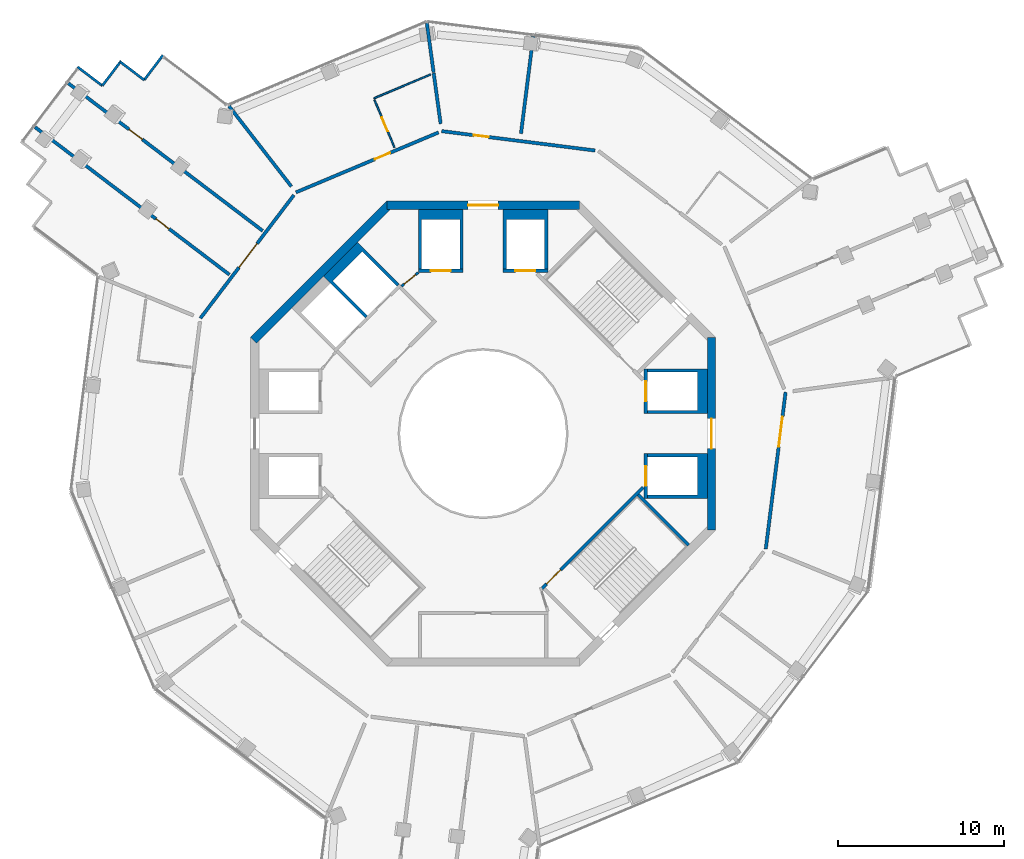
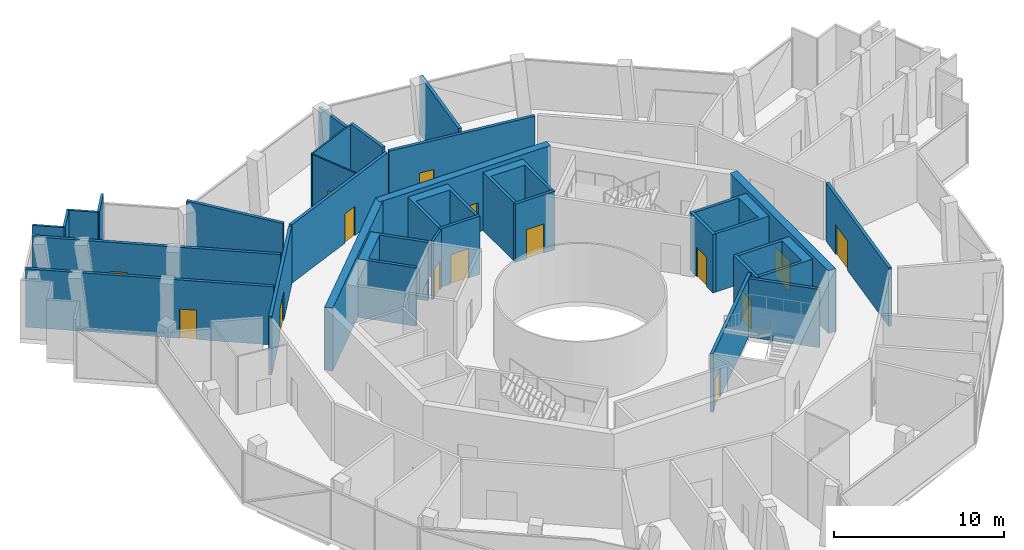
# One storey, part 14 of 18: 31 walls, 15 doors, 15 openings.
"""IFC4 building model written with IfcOpenShell, lengths in metres."""

import ifcopenshell
import ifcopenshell.guid

model = None  # the IFC model being written
_history = None  # IfcOwnerHistory: only IFC2X3 demands one
_inside = {}  # id of a spatial element -> (the spatial element, [elements in it])
_under = {}  # id of a project, library or spatial element -> (it, [spatial elements below it])
_declared = {}  # id of a project -> (the project, [libraries it declares])
_typed = {}  # id of a type object -> (the type object, [elements of that type])
_made_of = {}  # id of a material, layer set ... -> (it, [elements and type objects made of it])


def new_model(schema):
    """Start an empty IFC model of exactly this schema.

    Asked for "IFC4X3", IfcOpenShell would pick the latest addendum, in which some entities
    have other attributes; the version numbers below select the first issue.
    IFC2X3 requires an IfcOwnerHistory on every rooted entity: one is made here for all.
    """
    global model, _history
    if schema == "IFC4X3":
        model = ifcopenshell.file(schema_version=(4, 3, 0, 0))
    else:
        model = ifcopenshell.file(schema=schema)
    _inside.clear()
    _under.clear()
    _declared.clear()
    _typed.clear()
    _made_of.clear()
    _history = None
    if model.schema == "IFC2X3":
        org = make("IfcOrganization", Name="unknown")
        user = make(
            "IfcPersonAndOrganization",
            ThePerson=make("IfcPerson", FamilyName="unknown"),
            TheOrganization=org,
        )
        app = make(
            "IfcApplication",
            ApplicationDeveloper=org,
            Version="unknown",
            ApplicationFullName="unknown",
            ApplicationIdentifier="unknown",
        )
        _history = make(
            "IfcOwnerHistory",
            OwningUser=user,
            OwningApplication=app,
            ChangeAction="ADDED",
            CreationDate=0,
        )
    return model


def make(cls, **values):
    """One entity of the class cls with the attributes given. An attribute that is None is left unset."""
    return model.create_entity(
        cls, **{name: value for name, value in values.items() if value is not None}
    )


def rooted(cls, **values):
    """An entity with a GlobalId (a new one), such as an element, a storey or a relation."""
    return make(cls, GlobalId=ifcopenshell.guid.new(), OwnerHistory=_history, **values)


def si_unit(unit_type, name, prefix=None):
    """IfcSIUnit, for example si_unit("LENGTHUNIT", "METRE", prefix="MILLI")."""
    return make("IfcSIUnit", UnitType=unit_type, Prefix=prefix, Name=name)


def assignment(units):
    """IfcUnitAssignment: the units of a project."""
    return None if units is None else make("IfcUnitAssignment", Units=units)


def point(xyz):
    """IfcCartesianPoint."""
    return None if xyz is None else make("IfcCartesianPoint", Coordinates=xyz)


def direction(xyz):
    """IfcDirection."""
    return None if xyz is None else make("IfcDirection", DirectionRatios=xyz)


def frame(location, z_axis=None, x_axis=None):
    """IfcAxis2Placement3D, a coordinate frame: its origin and axes. An axis left out is left unset."""
    return make(
        "IfcAxis2Placement3D",
        Location=point(location),
        Axis=direction(z_axis),
        RefDirection=direction(x_axis),
    )


def frame_2d(location, x_axis=None):
    """IfcAxis2Placement2D, a coordinate frame in the plane: its origin and x axis."""
    return make(
        "IfcAxis2Placement2D", Location=point(location), RefDirection=direction(x_axis)
    )


def origin():
    """The frame at (0, 0, 0) with its axes left unset."""
    return frame((0.0, 0.0, 0.0))


def place(relative_to, where):
    """IfcLocalPlacement: puts the frame where relative to a parent placement (None: the world)."""
    return make(
        "IfcLocalPlacement", PlacementRelTo=relative_to, RelativePlacement=where
    )


def context(
    kind, dimensions, precision=None, world=None, true_north=None, identifier=None
):
    """IfcGeometricRepresentationContext, for example the 3D "Model" context."""
    return make(
        "IfcGeometricRepresentationContext",
        ContextIdentifier=identifier,
        ContextType=kind,
        CoordinateSpaceDimension=dimensions,
        Precision=precision,
        WorldCoordinateSystem=world,
        TrueNorth=true_north,
    )


def subcontext(parent, identifier, kind, view, scale=None):
    """IfcGeometricRepresentationSubContext, for example "Body" below "Model"."""
    return make(
        "IfcGeometricRepresentationSubContext",
        ContextIdentifier=identifier,
        ContextType=kind,
        ParentContext=parent,
        TargetScale=scale,
        TargetView=view,
    )


def project(units=None, contexts=None):
    """IfcProject with its units and contexts."""
    return rooted(
        "IfcProject",
        Name="project",
        RepresentationContexts=contexts,
        UnitsInContext=assignment(units),
    )


def spatial(cls, under=None, at=None, **own):
    """A site, building, storey or space (cls), placed at a placement, below another one or the project."""
    s = rooted(cls, ObjectPlacement=at, **own)
    if under is not None:
        _under.setdefault(under.id(), (under, []))[1].append(s)
    return s


def polyline(points):
    """IfcPolyline through the points."""
    return make("IfcPolyline", Points=[point(p) for p in points])


def profile(cls, at=None, kind="AREA", **sizes):
    """A parametric profile (cls). Its sizes go by their IFC names, for example OverallWidth=200.0."""
    return make(cls, ProfileType=kind, Position=at, **sizes)


def rectangle(**sizes):
    """IfcRectangleProfileDef."""
    return profile("IfcRectangleProfileDef", **sizes)


def outline(outer, holes=None, kind="AREA"):
    """IfcArbitraryClosedProfileDef: a profile drawn as a closed curve; with holes, ...WithVoids."""
    if holes is None:
        return make("IfcArbitraryClosedProfileDef", ProfileType=kind, OuterCurve=outer)
    return make(
        "IfcArbitraryProfileDefWithVoids",
        ProfileType=kind,
        OuterCurve=outer,
        InnerCurves=holes,
    )


def extrude(swept, where, along, depth):
    """IfcExtrudedAreaSolid: the profile swept, set in the frame where, extruded along a direction by depth."""
    return make(
        "IfcExtrudedAreaSolid",
        SweptArea=swept,
        Position=where,
        ExtrudedDirection=direction(along),
        Depth=depth,
    )


def shape(context_of_items, identifier, shape_type, items):
    """IfcShapeRepresentation: the items that make up one representation, for example the "Body"."""
    return make(
        "IfcShapeRepresentation",
        ContextOfItems=context_of_items,
        RepresentationIdentifier=identifier,
        RepresentationType=shape_type,
        Items=items,
    )


def material(Name=None, Category=None):
    """IfcMaterial."""
    return make("IfcMaterial", Name=Name, Category=Category)


def layer(
    of_material, thickness, ventilated=None, Name=None, Category=None, Priority=None
):
    """IfcMaterialLayer: one layer of a wall or slab, of a material (None: an air gap)."""
    return make(
        "IfcMaterialLayer",
        Material=of_material,
        LayerThickness=thickness,
        IsVentilated=ventilated,
        Name=Name,
        Category=Category,
        Priority=Priority,
    )


def layer_set(layers, Name=None):
    """IfcMaterialLayerSet."""
    return make("IfcMaterialLayerSet", MaterialLayers=layers, LayerSetName=Name)


def made_of(thing, what):
    """Note that an element or type object is made of a material, layer set ...; save() writes the relation."""
    if what is not None:
        _made_of.setdefault(what.id(), (what, []))[1].append(thing)
    return thing


def type_object(cls, material=None, **own):
    """A type object (cls), such as IfcWallType, which elements share."""
    return made_of(rooted(cls, **own), material)


def element(
    cls,
    number,
    at=None,
    inside=None,
    cuts=None,
    type_object=None,
    material=None,
    context=None,
    identifier="Body",
    shape_type=None,
    held_by="IfcProductDefinitionShape",
    body=None,
    shapes=None,
    **own,
):
    """One element of the class cls, such as IfcWall. Its Tag is "e" and its number.

    at: its placement. inside: the storey or other place that contains it. cuts: it is an
    opening in that element (IfcRelVoidsElement). A single representation is given by context,
    identifier, shape_type and body (its items); several are given by shapes. held_by: the class
    of the entity that holds the representations. save() writes the other relations.
    """
    e = rooted(cls, Tag="e%d" % number, ObjectPlacement=at, **own)
    if body is not None:
        shapes = [shape(context, identifier, shape_type, body)]
    if shapes is not None:
        e.Representation = make(held_by, Representations=shapes)
    if inside is not None:
        _inside.setdefault(inside.id(), (inside, []))[1].append(e)
    if cuts is not None:
        rooted(
            "IfcRelVoidsElement", RelatingBuildingElement=cuts, RelatedOpeningElement=e
        )
    if type_object is not None:
        _typed.setdefault(type_object.id(), (type_object, []))[1].append(e)
    return made_of(e, material)


def fill(opening, filler):
    """IfcRelFillsElement: the door or window that sits in an opening."""
    return rooted(
        "IfcRelFillsElement",
        RelatingOpeningElement=opening,
        RelatedBuildingElement=filler,
    )


def aggregate(whole, parts):
    """IfcRelAggregates: a whole, such as a stair, and the parts it consists of."""
    return rooted("IfcRelAggregates", RelatingObject=whole, RelatedObjects=parts)


def save(model, path):
    """Write the relations noted so far, then the file.

    IfcRelAggregates (storeys below a building ...), IfcRelContainedInSpatialStructure (elements
    in a storey), IfcRelDefinesByType, IfcRelAssociatesMaterial and IfcRelDeclares: one each for
    every whole, place, type object, material and project.
    """
    for whole, parts in _under.values():
        aggregate(whole, parts)
    for where, things in _inside.values():
        rooted(
            "IfcRelContainedInSpatialStructure",
            RelatedElements=things,
            RelatingStructure=where,
        )
    for kind, things in _typed.values():
        rooted("IfcRelDefinesByType", RelatedObjects=things, RelatingType=kind)
    for what, things in _made_of.values():
        rooted("IfcRelAssociatesMaterial", RelatedObjects=things, RelatingMaterial=what)
    for by, libraries in _declared.values():
        rooted("IfcRelDeclares", RelatingContext=by, RelatedDefinitions=libraries)
    model.write(path)


model = new_model("IFC4")

# Units and contexts
model_context = context("Model", 3, precision=1e-05, world=origin(), true_north=direction((0.0, 1.0)))
body_context = subcontext(model_context, "Body", "Model", "MODEL_VIEW")
ifc_project = project(units=[si_unit("LENGTHUNIT", "METRE"), si_unit("AREAUNIT", "SQUARE_METRE"), si_unit("VOLUMEUNIT", "CUBIC_METRE"), si_unit("PLANEANGLEUNIT", "RADIAN"), si_unit("MASSUNIT", "GRAM", prefix="KILO")], contexts=[model_context])

# Site, building, storey
site_placement = place(None, origin())
site = spatial("IfcSite", under=ifc_project, at=site_placement, CompositionType="ELEMENT")
building_placement = place(site_placement, origin())
building = spatial("IfcBuilding", under=site, at=building_placement, Name="Verdalira Terraces Hotel", CompositionType="ELEMENT")
storey_placement = place(building_placement, frame((0.0, 0.0, 248.0)))
storey = spatial("IfcBuildingStorey", under=building, at=storey_placement, Name="L61", CompositionType="ELEMENT", Elevation=248.0)

# Wall, opening, door
ifc_material_1 = material(Name="Moisture-resistant gypsum board partition")
ifc_layer_1 = layer(ifc_material_1, 0.10009765625)
ifc_layer_set_1 = layer_set([ifc_layer_1], Name="Bathroom partition 100 mm")
wall_type_1 = type_object("IfcWallType", Name="Bathroom partition 100 mm", PredefinedType="PARTITIONING", material=ifc_layer_set_1)
wall_1_placement = place(storey_placement, frame((-6.539551, 20.094238, 0.0), z_axis=(0.0, 0.0, 1.0), x_axis=(0.3875605, -0.92184427, 0.0)))
wall_1 = element("IfcWall", 1, at=wall_1_placement, inside=storey, type_object=wall_type_1, Name="Bathroom partition", PredefinedType="PARTITIONING", context=body_context, shape_type="SweptSolid", body=[
    extrude(rectangle(XDim=3.099854, YDim=0.100098, at=frame_2d((1.549805, 0.0))), origin(), (0.0, 0.0, 1.0), 4.189941),
])
opening_1_placement = place(wall_1_placement, frame((1.149902, 0.0, 0.0)))
opening_1 = element("IfcOpeningElement", 2, at=opening_1_placement, cuts=wall_1, Name="Opening L61-122", PredefinedType="OPENING", context=body_context, shape_type="SweptSolid", body=[
    extrude(rectangle(XDim=0.899902, YDim=2.100098, at=frame_2d((0.449951, 1.050049))), frame((0.0, 0.060059, 0.0), z_axis=(0.0, -1.0, 0.0), x_axis=(1.0, 0.0, 0.0)), (0.0, 0.0, 1.0), 0.120117),
])
ifc_material_2 = material(Name="Timber door", Category="wood")
door_type_1 = type_object("IfcDoorType", Name="Bathroom door 900 x 2100", OperationType="NOTDEFINED", PredefinedType="DOOR", material=ifc_material_2)
door_1_placement = place(opening_1_placement, origin())
door_1 = element("IfcDoor", 3, at=door_1_placement, inside=storey, type_object=door_type_1, Name="Bathroom door 6111", OperationType="SINGLE_SWING_LEFT", OverallHeight=2.10009765625, OverallWidth=0.89990234375, PredefinedType="DOOR", context=body_context, shape_type="SweptSolid", body=[
    extrude(rectangle(XDim=0.899902, YDim=2.100098, at=frame_2d((0.449951, 1.050049))), frame((0.0, 0.024902, 0.0), z_axis=(0.0, -1.0, 0.0), x_axis=(1.0, 0.0, 0.0)), (0.0, 0.0, 1.0), 0.050049),
])
fill(opening_1, door_1)

# Walls
wall_2_placement = place(storey_placement, frame((-6.578125, 20.186523, 0.0), z_axis=(0.0, 0.0, 1.0), x_axis=(0.921857328, 0.387529441, 0.0)))
element("IfcWall", 4, at=wall_2_placement, inside=storey, type_object=wall_type_1, Name="Bathroom partition", PredefinedType="PARTITIONING", context=body_context, shape_type="SweptSolid", body=[
    extrude(rectangle(XDim=3.703613, YDim=0.100098, at=frame_2d((1.851807, 0.0))), origin(), (0.0, 0.0, 1.0), 4.189941),
])
ifc_material_3 = material(Name="Concrete C50", Category="concrete")
ifc_layer_2 = layer(ifc_material_3, 0.199951171875)
ifc_layer_set_2 = layer_set([ifc_layer_2], Name="Core RC wall 200 C50")
wall_type_2 = type_object("IfcWallType", Name="Core RC wall 200 C50", PredefinedType="SOLIDWALL", material=ifc_layer_set_2)
wall_3_placement = place(storey_placement, origin())
element("IfcWall", 5, at=wall_3_placement, inside=storey, type_object=wall_type_2, Name="L61 shaft wall E1", PredefinedType="SOLIDWALL", context=body_context, shape_type="SweptSolid", body=[
    extrude(outline(polyline([(13.5, -3.899902), (9.899902, -3.899902), (9.899902, -3.699951), (12.899902, -3.699951), (12.899902, -1.399902), (9.899902, -1.399902), (9.899902, -1.199951), (13.5, -1.199951), (13.5, -3.899902)])), origin(), (0.0, 0.0, 1.0), 4.189941),
])

# Wall, opening, door
wall_4_placement = place(storey_placement, frame((9.800049, -1.199951, 0.0), z_axis=(0.0, 0.0, 1.0), x_axis=(0.0, -1.0, 0.0)))
wall_4 = element("IfcWall", 6, at=wall_4_placement, inside=storey, type_object=wall_type_2, Name="L61 shaft front wall E1", PredefinedType="SOLIDWALL", context=body_context, shape_type="SweptSolid", body=[
    extrude(rectangle(XDim=2.699951, YDim=0.199951, at=frame_2d((1.350098, 0.0))), origin(), (0.0, 0.0, 1.0), 4.189941),
])
opening_2_placement = place(wall_4_placement, frame((0.75, 0.0, 0.0)))
opening_2 = element("IfcOpeningElement", 7, at=opening_2_placement, cuts=wall_4, Name="Opening LD-L61-802", PredefinedType="OPENING", context=body_context, shape_type="SweptSolid", body=[
    extrude(rectangle(XDim=1.199951, YDim=2.100098, at=frame_2d((0.600098, 1.050049))), frame((0.0, 0.109863, 0.0), z_axis=(0.0, -1.0, 0.0), x_axis=(1.0, 0.0, 0.0)), (0.0, 0.0, 1.0), 0.219971),
])
ifc_material_4 = material(Name="Stainless steel", Category="steel")
door_type_2 = type_object("IfcDoorType", Name="Landing door 1200 x 2100", OperationType="NOTDEFINED", PredefinedType="DOOR", material=ifc_material_4)
door_2_placement = place(opening_2_placement, origin())
door_2 = element("IfcDoor", 8, at=door_2_placement, inside=storey, type_object=door_type_2, Name="Lift landing door HR1 L61", OperationType="DOUBLE_DOOR_SLIDING", OverallHeight=2.10009765625, OverallWidth=1.199951171875, PredefinedType="DOOR", context=body_context, shape_type="SweptSolid", body=[
    extrude(rectangle(XDim=1.199951, YDim=2.100098, at=frame_2d((0.600098, 1.050049))), frame((0.0, 0.024902, 0.0), z_axis=(0.0, -1.0, 0.0), x_axis=(1.0, 0.0, 0.0)), (0.0, 0.0, 1.0), 0.050049),
])
fill(opening_2, door_2)

# Wall
wall_5_placement = place(storey_placement, origin())
element("IfcWall", 9, at=wall_5_placement, inside=storey, type_object=wall_type_2, Name="L61 shaft wall E2", PredefinedType="SOLIDWALL", context=body_context, shape_type="SweptSolid", body=[
    extrude(outline(polyline([(13.5, 3.899902), (13.5, 1.199951), (9.899902, 1.199951), (9.899902, 1.399902), (12.899902, 1.399902), (12.899902, 3.699951), (9.899902, 3.699951), (9.899902, 3.899902), (13.5, 3.899902)])), origin(), (0.0, 0.0, 1.0), 4.189941),
])

# Wall, opening, door
wall_6_placement = place(storey_placement, frame((9.800049, 1.199951, 0.0), z_axis=(0.0, 0.0, 1.0), x_axis=(0.0, 1.0, 0.0)))
wall_6 = element("IfcWall", 10, at=wall_6_placement, inside=storey, type_object=wall_type_2, Name="L61 shaft front wall E2", PredefinedType="SOLIDWALL", context=body_context, shape_type="SweptSolid", body=[
    extrude(rectangle(XDim=2.699951, YDim=0.199951, at=frame_2d((1.350098, 0.0))), origin(), (0.0, 0.0, 1.0), 4.189941),
])
opening_3_placement = place(wall_6_placement, frame((0.75, 0.0, 0.0)))
opening_3 = element("IfcOpeningElement", 11, at=opening_3_placement, cuts=wall_6, Name="Opening LD-L61-803", PredefinedType="OPENING", context=body_context, shape_type="SweptSolid", body=[
    extrude(rectangle(XDim=1.199951, YDim=2.100098, at=frame_2d((0.600098, 1.050049))), frame((0.0, 0.109863, 0.0), z_axis=(0.0, -1.0, 0.0), x_axis=(1.0, 0.0, 0.0)), (0.0, 0.0, 1.0), 0.219971),
])
door_3_placement = place(opening_3_placement, origin())
door_3 = element("IfcDoor", 12, at=door_3_placement, inside=storey, type_object=door_type_2, Name="Lift landing door HR2 L61", OperationType="DOUBLE_DOOR_SLIDING", OverallHeight=2.10009765625, OverallWidth=1.199951171875, PredefinedType="DOOR", context=body_context, shape_type="SweptSolid", body=[
    extrude(rectangle(XDim=1.199951, YDim=2.100098, at=frame_2d((0.600098, 1.050049))), frame((0.0, 0.024902, 0.0), z_axis=(0.0, -1.0, 0.0), x_axis=(1.0, 0.0, 0.0)), (0.0, 0.0, 1.0), 0.050049),
])
fill(opening_3, door_3)

# Wall
wall_7_placement = place(storey_placement, origin())
element("IfcWall", 13, at=wall_7_placement, inside=storey, type_object=wall_type_2, Name="L61 shaft wall N1", PredefinedType="SOLIDWALL", context=body_context, shape_type="SweptSolid", body=[
    extrude(outline(polyline([(3.899902, 9.899902), (3.699951, 9.899902), (3.699951, 12.899902), (1.399902, 12.899902), (1.399902, 9.899902), (1.199951, 9.899902), (1.199951, 13.5), (3.899902, 13.5), (3.899902, 9.899902)])), origin(), (0.0, 0.0, 1.0), 4.189941),
])

# Wall, opening, door
wall_8_placement = place(storey_placement, frame((1.199951, 9.800049, 0.0), z_axis=(0.0, 0.0, 1.0), x_axis=(1.0, 0.0, 0.0)))
wall_8 = element("IfcWall", 14, at=wall_8_placement, inside=storey, type_object=wall_type_2, Name="L61 shaft front wall N1", PredefinedType="SOLIDWALL", context=body_context, shape_type="SweptSolid", body=[
    extrude(rectangle(XDim=2.699951, YDim=0.199951, at=frame_2d((1.350098, 0.0))), origin(), (0.0, 0.0, 1.0), 4.189941),
])
opening_4_placement = place(wall_8_placement, frame((0.75, 0.0, 0.0)))
opening_4 = element("IfcOpeningElement", 15, at=opening_4_placement, cuts=wall_8, Name="Opening LD-L61-804", PredefinedType="OPENING", context=body_context, shape_type="SweptSolid", body=[
    extrude(rectangle(XDim=1.199951, YDim=2.100098, at=frame_2d((0.600098, 1.050049))), frame((0.0, 0.109863, 0.0), z_axis=(0.0, -1.0, 0.0), x_axis=(1.0, 0.0, 0.0)), (0.0, 0.0, 1.0), 0.219971),
])
door_4_placement = place(opening_4_placement, origin())
door_4 = element("IfcDoor", 16, at=door_4_placement, inside=storey, type_object=door_type_2, Name="Lift landing door HR3 L61", OperationType="DOUBLE_DOOR_SLIDING", OverallHeight=2.10009765625, OverallWidth=1.199951171875, PredefinedType="DOOR", context=body_context, shape_type="SweptSolid", body=[
    extrude(rectangle(XDim=1.199951, YDim=2.100098, at=frame_2d((0.600098, 1.050049))), frame((0.0, 0.024902, 0.0), z_axis=(0.0, -1.0, 0.0), x_axis=(1.0, 0.0, 0.0)), (0.0, 0.0, 1.0), 0.050049),
])
fill(opening_4, door_4)

# Wall
wall_9_placement = place(storey_placement, origin())
element("IfcWall", 17, at=wall_9_placement, inside=storey, type_object=wall_type_2, Name="L61 shaft wall N2", PredefinedType="SOLIDWALL", context=body_context, shape_type="SweptSolid", body=[
    extrude(outline(polyline([(-3.899902, 13.5), (-1.199951, 13.5), (-1.199951, 9.899902), (-1.399902, 9.899902), (-1.399902, 12.899902), (-3.699951, 12.899902), (-3.699951, 9.899902), (-3.899902, 9.899902), (-3.899902, 13.5)])), origin(), (0.0, 0.0, 1.0), 4.189941),
])

# Wall, opening, door
wall_10_placement = place(storey_placement, frame((-1.199951, 9.800049, 0.0), z_axis=(0.0, 0.0, 1.0), x_axis=(-1.0, 0.0, 0.0)))
wall_10 = element("IfcWall", 18, at=wall_10_placement, inside=storey, type_object=wall_type_2, Name="L61 shaft front wall N2", PredefinedType="SOLIDWALL", context=body_context, shape_type="SweptSolid", body=[
    extrude(rectangle(XDim=2.699951, YDim=0.199951, at=frame_2d((1.350098, 0.0))), origin(), (0.0, 0.0, 1.0), 4.189941),
])
opening_5_placement = place(wall_10_placement, frame((0.75, 0.0, 0.0)))
opening_5 = element("IfcOpeningElement", 19, at=opening_5_placement, cuts=wall_10, Name="Opening LD-L61-805", PredefinedType="OPENING", context=body_context, shape_type="SweptSolid", body=[
    extrude(rectangle(XDim=1.199951, YDim=2.100098, at=frame_2d((0.600098, 1.050049))), frame((0.0, 0.109863, 0.0), z_axis=(0.0, -1.0, 0.0), x_axis=(1.0, 0.0, 0.0)), (0.0, 0.0, 1.0), 0.219971),
])
door_5_placement = place(opening_5_placement, origin())
door_5 = element("IfcDoor", 20, at=door_5_placement, inside=storey, type_object=door_type_2, Name="Lift landing door HR4 L61", OperationType="DOUBLE_DOOR_SLIDING", OverallHeight=2.10009765625, OverallWidth=1.199951171875, PredefinedType="DOOR", context=body_context, shape_type="SweptSolid", body=[
    extrude(rectangle(XDim=1.199951, YDim=2.100098, at=frame_2d((0.600098, 1.050049))), frame((0.0, 0.024902, 0.0), z_axis=(0.0, -1.0, 0.0), x_axis=(1.0, 0.0, 0.0)), (0.0, 0.0, 1.0), 0.050049),
])
fill(opening_5, door_5)

# Wall
wall_11_placement = place(storey_placement, origin())
element("IfcWall", 21, at=wall_11_placement, inside=storey, type_object=wall_type_2, Name="L61 shaft wall F1", PredefinedType="SOLIDWALL", context=body_context, shape_type="SweptSolid", body=[
    extrude(outline(polyline([(-9.616699, 9.475098), (-7.565918, 11.525879), (-5.055908, 9.015625), (-5.197266, 8.874268), (-7.283203, 10.960205), (-9.051025, 9.192383), (-6.965088, 7.106445), (-7.106445, 6.965088), (-9.616699, 9.475098)])), origin(), (0.0, 0.0, 1.0), 4.189941),
])

# Wall, opening, door
wall_12_placement = place(storey_placement, frame((9.629395, -3.23999, 0.0), z_axis=(0.0, 0.0, 1.0), x_axis=(-0.707120946, -0.707092617, 0.0)))
wall_12 = element("IfcWall", 22, at=wall_12_placement, inside=storey, type_object=wall_type_2, Name="L61 stair ST3 front wall", PredefinedType="SOLIDWALL", context=body_context, shape_type="SweptSolid", body=[
    extrude(rectangle(XDim=8.61792, YDim=0.199951, at=frame_2d((4.309082, 0.0))), origin(), (0.0, 0.0, 1.0), 4.189941),
])
opening_6_placement = place(wall_12_placement, frame((7.017822, 0.0, 0.0)))
opening_6 = element("IfcOpeningElement", 23, at=opening_6_placement, cuts=wall_12, Name="Opening L61-812", PredefinedType="OPENING", context=body_context, shape_type="SweptSolid", body=[
    extrude(rectangle(XDim=1.199951, YDim=2.100098, at=frame_2d((0.600098, 1.050049))), frame((0.0, 0.109863, 0.0), z_axis=(0.0, -1.0, 0.0), x_axis=(1.0, 0.0, 0.0)), (0.0, 0.0, 1.0), 0.219971),
])
ifc_material_5 = material(Name="Steel fire door", Category="steel")
door_type_3 = type_object("IfcDoorType", Name="Stair door 1200 x 2100", OperationType="NOTDEFINED", PredefinedType="DOOR", material=ifc_material_5)
door_6_placement = place(opening_6_placement, origin())
door_6 = element("IfcDoor", 24, at=door_6_placement, inside=storey, type_object=door_type_3, Name="Stair door ST3 L61", OperationType="SINGLE_SWING_RIGHT", OverallHeight=2.10009765625, OverallWidth=1.199951171875, PredefinedType="DOOR", context=body_context, shape_type="SweptSolid", body=[
    extrude(rectangle(XDim=1.199951, YDim=2.100098, at=frame_2d((0.600098, 1.050049))), frame((0.0, 0.024902, 0.0), z_axis=(0.0, -1.0, 0.0), x_axis=(1.0, 0.0, 0.0)), (0.0, 0.0, 1.0), 0.050049),
])
fill(opening_6, door_6)

# Wall
wall_13_placement = place(storey_placement, frame((9.33374, -3.677002, 0.0), z_axis=(0.0, 0.0, 1.0), x_axis=(0.707135168, -0.707078393, 0.0)))
element("IfcWall", 25, at=wall_13_placement, inside=storey, type_object=wall_type_2, Name="L61 stair ST3 end wall 2", PredefinedType="SOLIDWALL", context=body_context, shape_type="SweptSolid", body=[
    extrude(rectangle(XDim=4.300049, YDim=0.199951, at=frame_2d((2.149902, 0.0))), origin(), (0.0, 0.0, 1.0), 4.189941),
])

# Wall, opening, door
ifc_material_6 = material(Name="Gypsum board partition")
ifc_layer_3 = layer(ifc_material_6, 0.14990234375)
ifc_layer_set_3 = layer_set([ifc_layer_3], Name="Core partition 150 mm")
wall_type_3 = type_object("IfcWallType", Name="Core partition 150 mm", PredefinedType="PARTITIONING", material=ifc_layer_set_3)
wall_14_placement = place(storey_placement, frame((-3.899902, 9.699951, 0.0), z_axis=(0.0, 0.0, 1.0), x_axis=(-0.775559878, -0.631274009, 0.0)))
wall_14 = element("IfcWall", 26, at=wall_14_placement, inside=storey, type_object=wall_type_3, Name="Room partition L61", PredefinedType="PARTITIONING", context=body_context, shape_type="SweptSolid", body=[
    extrude(rectangle(XDim=1.307861, YDim=0.149902, at=frame_2d((0.653809, 0.0))), origin(), (0.0, 0.0, 1.0), 4.189941),
])
opening_7_placement = place(wall_14_placement, frame((0.204102, 0.0, 0.0)))
opening_7 = element("IfcOpeningElement", 27, at=opening_7_placement, cuts=wall_14, Name="Opening L61-820", PredefinedType="OPENING", context=body_context, shape_type="SweptSolid", body=[
    extrude(rectangle(XDim=0.899902, YDim=2.100098, at=frame_2d((0.449951, 1.050049))), frame((0.0, 0.084961, 0.0), z_axis=(0.0, -1.0, 0.0), x_axis=(1.0, 0.0, 0.0)), (0.0, 0.0, 1.0), 0.169922),
])
ifc_material_7 = material(Name="Steel fire door", Category="steel")
door_type_4 = type_object("IfcDoorType", Name="Core room door 900 x 2100", OperationType="NOTDEFINED", PredefinedType="DOOR", material=ifc_material_7)
door_7_placement = place(opening_7_placement, origin())
door_7 = element("IfcDoor", 28, at=door_7_placement, inside=storey, type_object=door_type_4, Name="Door L61 room2", OperationType="SINGLE_SWING_LEFT", OverallHeight=2.10009765625, OverallWidth=0.89990234375, PredefinedType="DOOR", context=body_context, shape_type="SweptSolid", body=[
    extrude(rectangle(XDim=0.899902, YDim=2.100098, at=frame_2d((0.449951, 1.050049))), frame((0.0, 0.024902, 0.0), z_axis=(0.0, -1.0, 0.0), x_axis=(1.0, 0.0, 0.0)), (0.0, 0.0, 1.0), 0.050049),
])
fill(opening_7, door_7)

ifc_material_8 = material(Name="Concrete C50", Category="concrete")
ifc_layer_4 = layer(ifc_material_8, 0.5)
ifc_layer_set_4 = layer_set([ifc_layer_4], Name="Core wall 500 C50")
wall_type_4 = type_object("IfcWallType", Name="Core wall 500 C50", PredefinedType="SHEAR", material=ifc_layer_set_4)
wall_15_placement = place(storey_placement, frame((13.75, -5.799072, 0.0), z_axis=(0.0, 0.0, 1.0), x_axis=(0.0, 1.0, 0.0)))
wall_15 = element("IfcWall", 29, at=wall_15_placement, inside=storey, type_object=wall_type_4, Name="Core wall CW-L61-1", PredefinedType="SHEAR", context=body_context, shape_type="SweptSolid", body=[
    extrude(rectangle(XDim=11.598145, YDim=0.5, at=frame_2d((5.799072, 0.0))), origin(), (0.0, 0.0, 1.0), 4.5),
])
opening_8_placement = place(wall_15_placement, frame((4.898926, 0.0, 0.0)))
opening_8 = element("IfcOpeningElement", 30, at=opening_8_placement, cuts=wall_15, Name="Opening L61-813", PredefinedType="OPENING", context=body_context, shape_type="SweptSolid", body=[
    extrude(rectangle(XDim=1.800049, YDim=2.100098, at=frame_2d((0.899902, 1.050049))), frame((0.0, 0.26001, 0.0), z_axis=(0.0, -1.0, 0.0), x_axis=(1.0, 0.0, 0.0)), (0.0, 0.0, 1.0), 0.52002),
])
ifc_material_9 = material(Name="Steel fire door", Category="steel")
door_type_5 = type_object("IfcDoorType", Name="Core entry door pair 1800 x 2100", OperationType="NOTDEFINED", PredefinedType="DOOR", material=ifc_material_9)
door_8_placement = place(opening_8_placement, origin())
door_8 = element("IfcDoor", 31, at=door_8_placement, inside=storey, type_object=door_type_5, Name="Core entry door L61 0", OperationType="DOUBLE_DOOR_SINGLE_SWING", OverallHeight=2.10009765625, OverallWidth=1.800048828125, PredefinedType="DOOR", context=body_context, shape_type="SweptSolid", body=[
    extrude(rectangle(XDim=1.800049, YDim=2.100098, at=frame_2d((0.899902, 1.050049))), frame((0.0, 0.024902, 0.0), z_axis=(0.0, -1.0, 0.0), x_axis=(1.0, 0.0, 0.0)), (0.0, 0.0, 1.0), 0.050049),
])
fill(opening_8, door_8)

wall_16_placement = place(storey_placement, frame((5.799072, 13.75, 0.0), z_axis=(0.0, 0.0, 1.0), x_axis=(-1.0, 0.0, 0.0)))
wall_16 = element("IfcWall", 32, at=wall_16_placement, inside=storey, type_object=wall_type_4, Name="Core wall CW-L61-3", PredefinedType="SHEAR", context=body_context, shape_type="SweptSolid", body=[
    extrude(rectangle(XDim=11.598145, YDim=0.5, at=frame_2d((5.799072, 0.0))), origin(), (0.0, 0.0, 1.0), 4.5),
])
opening_9_placement = place(wall_16_placement, frame((4.898926, 0.0, 0.0)))
opening_9 = element("IfcOpeningElement", 33, at=opening_9_placement, cuts=wall_16, Name="Opening L61-814", PredefinedType="OPENING", context=body_context, shape_type="SweptSolid", body=[
    extrude(rectangle(XDim=1.800049, YDim=2.100098, at=frame_2d((0.899902, 1.050049))), frame((0.0, 0.26001, 0.0), z_axis=(0.0, -1.0, 0.0), x_axis=(1.0, 0.0, 0.0)), (0.0, 0.0, 1.0), 0.52002),
])
door_9_placement = place(opening_9_placement, origin())
door_9 = element("IfcDoor", 34, at=door_9_placement, inside=storey, type_object=door_type_5, Name="Core entry door L61 2", OperationType="DOUBLE_DOOR_SINGLE_SWING", OverallHeight=2.10009765625, OverallWidth=1.800048828125, PredefinedType="DOOR", context=body_context, shape_type="SweptSolid", body=[
    extrude(rectangle(XDim=1.800049, YDim=2.100098, at=frame_2d((0.899902, 1.050049))), frame((0.0, 0.024902, 0.0), z_axis=(0.0, -1.0, 0.0), x_axis=(1.0, 0.0, 0.0)), (0.0, 0.0, 1.0), 0.050049),
])
fill(opening_9, door_9)

# Wall
wall_17_placement = place(storey_placement, frame((-5.622314, 13.823242, 0.0), z_axis=(0.0, 0.0, 1.0), x_axis=(-0.707106781, -0.707106781, 0.0)))
element("IfcWall", 35, at=wall_17_placement, inside=storey, type_object=wall_type_4, Name="Core wall CW-L61-4", PredefinedType="SHEAR", context=body_context, shape_type="SweptSolid", body=[
    extrude(rectangle(XDim=11.5979, YDim=0.5, at=frame_2d((5.798828, 0.0))), origin(), (0.0, 0.0, 1.0), 4.5),
])

# Wall, opening, door
ifc_material_10 = material(Name="Fire-rated gypsum board wall")
ifc_layer_5 = layer(ifc_material_10, 0.199951171875)
ifc_layer_set_5 = layer_set([ifc_layer_5], Name="Demising wall 200 mm")
wall_type_5 = type_object("IfcWallType", Name="Demising wall 200 mm", PredefinedType="SOLIDWALL", material=ifc_layer_set_5)
wall_18_placement = place(storey_placement, frame((-15.278076, 9.574707, 0.0), z_axis=(0.0, 0.0, 1.0), x_axis=(-0.796522166, 0.604609328, 0.0)))
wall_18 = element("IfcWall", 36, at=wall_18_placement, inside=storey, type_object=wall_type_5, Name="Demising wall", PredefinedType="SOLIDWALL", context=body_context, shape_type="SweptSolid", body=[
    extrude(rectangle(XDim=14.697021, YDim=0.199951, at=frame_2d((7.348633, 0.0))), origin(), (0.0, 0.0, 1.0), 4.189941),
])
opening_10_placement = place(wall_18_placement, frame((4.550049, 0.0, 0.0)))
opening_10 = element("IfcOpeningElement", 37, at=opening_10_placement, cuts=wall_18, Name="Opening L61-103", PredefinedType="OPENING", context=body_context, shape_type="SweptSolid", body=[
    extrude(rectangle(XDim=1.0, YDim=2.100098, at=frame_2d((0.5, 1.050049))), frame((0.0, 0.109863, 0.0), z_axis=(0.0, -1.0, 0.0), x_axis=(1.0, 0.0, 0.0)), (0.0, 0.0, 1.0), 0.219971),
])
ifc_material_11 = material(Name="Timber fire door", Category="wood")
door_type_6 = type_object("IfcDoorType", Name="Public room door 1000 x 2100", OperationType="NOTDEFINED", PredefinedType="DOOR", material=ifc_material_11)
door_10_placement = place(opening_10_placement, origin())
door_10 = element("IfcDoor", 38, at=door_10_placement, inside=storey, type_object=door_type_6, Name="Public room door 6101", OperationType="SINGLE_SWING_LEFT", OverallHeight=2.10009765625, OverallWidth=1.0, PredefinedType="DOOR", context=body_context, shape_type="SweptSolid", body=[
    extrude(rectangle(XDim=1.0, YDim=2.100098, at=frame_2d((0.5, 1.050049))), frame((0.0, 0.024902, 0.0), z_axis=(0.0, -1.0, 0.0), x_axis=(1.0, 0.0, 0.0)), (0.0, 0.0, 1.0), 0.050049),
])
fill(opening_10, door_10)

wall_19_placement = place(storey_placement, frame((-24.980713, 21.10083, 0.0), z_axis=(0.0, 0.0, 1.0), x_axis=(0.796536238, -0.604590789, 0.0)))
wall_19 = element("IfcWall", 39, at=wall_19_placement, inside=storey, type_object=wall_type_5, Name="Demising wall", PredefinedType="SOLIDWALL", context=body_context, shape_type="SweptSolid", body=[
    extrude(rectangle(XDim=14.697021, YDim=0.199951, at=frame_2d((7.348633, 0.0))), origin(), (0.0, 0.0, 1.0), 4.189941),
])
opening_11_placement = place(wall_19_placement, frame((4.600098, 0.0, 0.0)))
opening_11 = element("IfcOpeningElement", 40, at=opening_11_placement, cuts=wall_19, Name="Opening L61-102", PredefinedType="OPENING", context=body_context, shape_type="SweptSolid", body=[
    extrude(rectangle(XDim=1.0, YDim=2.100098, at=frame_2d((0.5, 1.050049))), frame((0.0, 0.109863, 0.0), z_axis=(0.0, -1.0, 0.0), x_axis=(1.0, 0.0, 0.0)), (0.0, 0.0, 1.0), 0.219971),
])
door_11_placement = place(opening_11_placement, origin())
door_11 = element("IfcDoor", 41, at=door_11_placement, inside=storey, type_object=door_type_6, Name="Public room door 6101", OperationType="SINGLE_SWING_LEFT", OverallHeight=2.10009765625, OverallWidth=1.0, PredefinedType="DOOR", context=body_context, shape_type="SweptSolid", body=[
    extrude(rectangle(XDim=1.0, YDim=2.100098, at=frame_2d((0.5, 1.050049))), frame((0.0, 0.024902, 0.0), z_axis=(0.0, -1.0, 0.0), x_axis=(1.0, 0.0, 0.0)), (0.0, 0.0, 1.0), 0.050049),
])
fill(opening_11, door_11)

# Wall
wall_20_placement = place(storey_placement, frame((-15.300781, 19.725586, 0.0), z_axis=(0.0, 0.0, 1.0), x_axis=(0.61290926, -0.790153301, 0.0)))
element("IfcWall", 42, at=wall_20_placement, inside=storey, type_object=wall_type_5, Name="Demising wall", PredefinedType="SOLIDWALL", context=body_context, shape_type="SweptSolid", body=[
    extrude(rectangle(XDim=6.132324, YDim=0.199951, at=frame_2d((3.066162, 0.0))), origin(), (0.0, 0.0, 1.0), 4.189941),
])

# Wall, opening, door
ifc_material_12 = material(Name="Fire-rated gypsum board wall")
ifc_layer_6 = layer(ifc_material_12, 0.199951171875)
ifc_layer_set_6 = layer_set([ifc_layer_6], Name="Guest corridor wall 200 mm")
wall_type_6 = type_object("IfcWallType", Name="Guest corridor wall 200 mm", PredefinedType="SOLIDWALL", material=ifc_layer_set_6)
wall_21_placement = place(storey_placement, frame((-17.021973, 6.946533, 0.0), z_axis=(0.0, 0.0, 1.0), x_axis=(0.604602112, 0.796527643, 0.0)))
wall_21 = element("IfcWall", 43, at=wall_21_placement, inside=storey, type_object=wall_type_6, Name="Guest corridor wall", PredefinedType="SOLIDWALL", context=body_context, shape_type="SweptSolid", body=[
    extrude(rectangle(XDim=9.31665, YDim=0.199951, at=frame_2d((4.658203, 0.0))), origin(), (0.0, 0.0, 1.0), 4.189941),
])
opening_12_placement = place(wall_21_placement, frame((3.8479, 0.0, 0.0)))
opening_12 = element("IfcOpeningElement", 44, at=opening_12_placement, cuts=wall_21, Name="Opening L61-101", PredefinedType="OPENING", context=body_context, shape_type="SweptSolid", body=[
    extrude(rectangle(XDim=1.800049, YDim=2.100098, at=frame_2d((0.899902, 1.050049))), frame((0.0, 0.109863, 0.0), z_axis=(0.0, -1.0, 0.0), x_axis=(1.0, 0.0, 0.0)), (0.0, 0.0, 1.0), 0.219971),
])
ifc_material_13 = material(Name="Timber fire door", Category="wood")
door_type_7 = type_object("IfcDoorType", Name="Public room double door 1800 x 2100", OperationType="NOTDEFINED", PredefinedType="DOOR", material=ifc_material_13)
door_12_placement = place(opening_12_placement, origin())
door_12 = element("IfcDoor", 45, at=door_12_placement, inside=storey, type_object=door_type_7, Name="Public room double door 6101", OperationType="DOUBLE_DOOR_SINGLE_SWING", OverallHeight=2.10009765625, OverallWidth=1.800048828125, PredefinedType="DOOR", context=body_context, shape_type="SweptSolid", body=[
    extrude(rectangle(XDim=1.800049, YDim=2.100098, at=frame_2d((0.899902, 1.050049))), frame((0.0, 0.024902, 0.0), z_axis=(0.0, -1.0, 0.0), x_axis=(1.0, 0.0, 0.0)), (0.0, 0.0, 1.0), 0.050049),
])
fill(opening_12, door_12)

wall_22_placement = place(storey_placement, frame((-11.268066, 14.526855, 0.0), z_axis=(0.0, 0.0, 1.0), x_axis=(0.921862121, 0.387518038, 0.0)))
wall_22 = element("IfcWall", 46, at=wall_22_placement, inside=storey, type_object=wall_type_6, Name="Guest corridor wall", PredefinedType="SOLIDWALL", context=body_context, shape_type="SweptSolid", body=[
    extrude(rectangle(XDim=9.31665, YDim=0.199951, at=frame_2d((4.658203, 0.0))), origin(), (0.0, 0.0, 1.0), 4.189941),
])
opening_13_placement = place(wall_22_placement, frame((5.149902, 0.0, 0.0)))
opening_13 = element("IfcOpeningElement", 47, at=opening_13_placement, cuts=wall_22, Name="Opening L61-121", PredefinedType="OPENING", context=body_context, shape_type="SweptSolid", body=[
    extrude(rectangle(XDim=1.0, YDim=2.100098, at=frame_2d((0.5, 1.050049))), frame((0.0, 0.109863, 0.0), z_axis=(0.0, -1.0, 0.0), x_axis=(1.0, 0.0, 0.0)), (0.0, 0.0, 1.0), 0.219971),
])
ifc_material_14 = material(Name="Timber fire door", Category="wood")
door_type_8 = type_object("IfcDoorType", Name="Guest entry door 1000 x 2100", OperationType="NOTDEFINED", PredefinedType="DOOR", material=ifc_material_14)
door_13_placement = place(opening_13_placement, origin())
door_13 = element("IfcDoor", 48, at=door_13_placement, inside=storey, type_object=door_type_8, Name="Guest entry door 6111", OperationType="SINGLE_SWING_LEFT", OverallHeight=2.10009765625, OverallWidth=1.0, PredefinedType="DOOR", context=body_context, shape_type="SweptSolid", body=[
    extrude(rectangle(XDim=1.0, YDim=2.100098, at=frame_2d((0.5, 1.050049))), frame((0.0, 0.024902, 0.0), z_axis=(0.0, -1.0, 0.0), x_axis=(1.0, 0.0, 0.0)), (0.0, 0.0, 1.0), 0.050049),
])
fill(opening_13, door_13)

wall_23_placement = place(storey_placement, frame((-2.495117, 18.2146, 0.0), z_axis=(0.0, 0.0, 1.0), x_axis=(0.992116583, -0.125318334, 0.0)))
wall_23 = element("IfcWall", 49, at=wall_23_placement, inside=storey, type_object=wall_type_6, Name="Guest corridor wall", PredefinedType="SOLIDWALL", context=body_context, shape_type="SweptSolid", body=[
    extrude(rectangle(XDim=9.316162, YDim=0.199951, at=frame_2d((4.658203, 0.0))), origin(), (0.0, 0.0, 1.0), 4.189941),
])
opening_14_placement = place(wall_23_placement, frame((1.949951, 0.0, 0.0)))
opening_14 = element("IfcOpeningElement", 50, at=opening_14_placement, cuts=wall_23, Name="Opening L61-120", PredefinedType="OPENING", context=body_context, shape_type="SweptSolid", body=[
    extrude(rectangle(XDim=0.899902, YDim=2.100098, at=frame_2d((0.449951, 1.050049))), frame((0.0, 0.109863, 0.0), z_axis=(0.0, -1.0, 0.0), x_axis=(1.0, 0.0, 0.0)), (0.0, 0.0, 1.0), 0.219971),
])
ifc_material_15 = material(Name="Steel fire door", Category="steel")
door_type_9 = type_object("IfcDoorType", Name="Service room door 900 x 2100", OperationType="NOTDEFINED", PredefinedType="DOOR", material=ifc_material_15)
door_14_placement = place(opening_14_placement, origin())
door_14 = element("IfcDoor", 51, at=door_14_placement, inside=storey, type_object=door_type_9, Name="Service room door 6110", OperationType="SINGLE_SWING_LEFT", OverallHeight=2.10009765625, OverallWidth=0.89990234375, PredefinedType="DOOR", context=body_context, shape_type="SweptSolid", body=[
    extrude(rectangle(XDim=0.899902, YDim=2.100098, at=frame_2d((0.449951, 1.050049))), frame((0.0, 0.024902, 0.0), z_axis=(0.0, -1.0, 0.0), x_axis=(1.0, 0.0, 0.0)), (0.0, 0.0, 1.0), 0.050049),
])
fill(opening_14, door_14)

wall_24_placement = place(storey_placement, frame((18.2146, 2.495117, 0.0), z_axis=(0.0, 0.0, 1.0), x_axis=(-0.125319698, -0.992116411, 0.0)))
wall_24 = element("IfcWall", 52, at=wall_24_placement, inside=storey, type_object=wall_type_6, Name="Guest corridor wall", PredefinedType="SOLIDWALL", context=body_context, shape_type="SweptSolid", body=[
    extrude(rectangle(XDim=9.516602, YDim=0.199951, at=frame_2d((4.758301, 0.0))), origin(), (0.0, 0.0, 1.0), 4.189941),
])
opening_15_placement = place(wall_24_placement, frame((1.5, 0.0, 0.0)))
opening_15 = element("IfcOpeningElement", 53, at=opening_15_placement, cuts=wall_24, Name="Opening L61-114", PredefinedType="OPENING", context=body_context, shape_type="SweptSolid", body=[
    extrude(rectangle(XDim=1.800049, YDim=2.100098, at=frame_2d((0.899902, 1.050049))), frame((0.0, 0.109863, 0.0), z_axis=(0.0, -1.0, 0.0), x_axis=(1.0, 0.0, 0.0)), (0.0, 0.0, 1.0), 0.219971),
])
door_15_placement = place(opening_15_placement, origin())
door_15 = element("IfcDoor", 54, at=door_15_placement, inside=storey, type_object=door_type_7, Name="Public room double door 6107", OperationType="DOUBLE_DOOR_SINGLE_SWING", OverallHeight=2.10009765625, OverallWidth=1.800048828125, PredefinedType="DOOR", context=body_context, shape_type="SweptSolid", body=[
    extrude(rectangle(XDim=1.800049, YDim=2.100098, at=frame_2d((0.899902, 1.050049))), frame((0.0, 0.024902, 0.0), z_axis=(0.0, -1.0, 0.0), x_axis=(1.0, 0.0, 0.0)), (0.0, 0.0, 1.0), 0.050049),
])
fill(opening_15, door_15)

# Walls
ifc_material_16 = material(Name="Fire-rated gypsum board wall")
ifc_layer_7 = layer(ifc_material_16, 0.199951171875)
ifc_layer_set_7 = layer_set([ifc_layer_7], Name="Service room wall 200 mm")
wall_type_7 = type_object("IfcWallType", Name="Service room wall 200 mm", PredefinedType="SOLIDWALL", material=ifc_layer_set_7)
wall_25_placement = place(storey_placement, frame((-2.555908, 18.657715, 0.0), z_axis=(0.0, 0.0, 1.0), x_axis=(-0.135694266, 0.990750759, 0.0)))
element("IfcWall", 55, at=wall_25_placement, inside=storey, type_object=wall_type_7, Name="Service room wall", PredefinedType="SOLIDWALL", context=body_context, shape_type="SweptSolid", body=[
    extrude(rectangle(XDim=3.074707, YDim=0.199951, at=frame_2d((1.537354, 0.0))), origin(), (0.0, 0.0, 1.0), 4.189941),
])
wall_26_placement = place(storey_placement, frame((3.021484, 23.918213, 0.0), z_axis=(0.0, 0.0, 1.0), x_axis=(-0.125322535, -0.992116053, 0.0)))
element("IfcWall", 56, at=wall_26_placement, inside=storey, type_object=wall_type_7, Name="Service room wall", PredefinedType="SOLIDWALL", context=body_context, shape_type="SweptSolid", body=[
    extrude(rectangle(XDim=5.902832, YDim=0.199951, at=frame_2d((2.951416, 0.0))), origin(), (0.0, 0.0, 1.0), 4.189941),
])
ifc_material_17 = material(Name="Fire-rated gypsum board wall")
ifc_layer_8 = layer(ifc_material_17, 0.199951171875)
ifc_layer_set_8 = layer_set([ifc_layer_8], Name="Service room wall 200 mm to beam soffit")
wall_type_8 = type_object("IfcWallType", Name="Service room wall 200 mm to beam soffit", PredefinedType="SOLIDWALL", material=ifc_layer_set_8)
wall_27_placement = place(storey_placement, frame((-2.979248, 21.749512, 0.0), z_axis=(0.0, 0.0, 1.0), x_axis=(-0.135710101, 0.99074859, 0.0)))
element("IfcWall", 57, at=wall_27_placement, inside=storey, type_object=wall_type_8, Name="Service room wall", PredefinedType="SOLIDWALL", context=body_context, shape_type="SweptSolid", body=[
    extrude(rectangle(XDim=3.011475, YDim=0.199951, at=frame_2d((1.505859, 0.0))), origin(), (0.0, 0.0, 1.0), 3.689941),
])
ifc_material_18 = material(Name="Terracotta cladding", Category="masonry")
ifc_layer_9 = layer(ifc_material_18, 0.14990234375)
ifc_layer_set_9 = layer_set([ifc_layer_9], Name="Terracotta clad wall 150")
wall_type_9 = type_object("IfcWallType", Name="Terracotta clad wall 150", PredefinedType="SOLIDWALL", material=ifc_layer_set_9)
wall_28_placement = place(storey_placement, frame((-19.273438, 22.789551, 0.0), z_axis=(0.0, 0.0, 1.0), x_axis=(-0.604594512, -0.796533412, 0.0)))
element("IfcWall", 58, at=wall_28_placement, inside=storey, type_object=wall_type_9, Name="Terracotta cladding wall", PredefinedType="SOLIDWALL", context=body_context, shape_type="SweptSolid", body=[
    extrude(rectangle(XDim=1.875, YDim=0.149902, at=frame_2d((0.9375, 0.0))), origin(), (0.0, 0.0, 1.0), 4.189941),
])
wall_29_placement = place(storey_placement, frame((-20.406982, 21.296143, 0.0), z_axis=(0.0, 0.0, 1.0), x_axis=(-0.796520097, 0.604612054, 0.0)))
element("IfcWall", 59, at=wall_29_placement, inside=storey, type_object=wall_type_9, Name="Terracotta cladding wall", PredefinedType="SOLIDWALL", context=body_context, shape_type="SweptSolid", body=[
    extrude(rectangle(XDim=1.800049, YDim=0.149902, at=frame_2d((0.899902, 0.0))), origin(), (0.0, 0.0, 1.0), 4.189941),
])
for number, where, z_axis, x_axis, name in (
    (60, (-21.79541, 22.444092, 0.0), (0.0, 0.0, 1.0), (-0.604594512, -0.796533412, 0.0), "Terracotta cladding wall"),
    (61, (-22.928955, 20.950684, 0.0), (0.0, 0.0, 1.0), (-0.796581003, 0.604531807, 0.0), "Terracotta cladding wall"),
):
    element("IfcWall", number, at=place(storey_placement, frame(where, z_axis=z_axis, x_axis=x_axis)), inside=storey, type_object=wall_type_9, Name=name, PredefinedType="SOLIDWALL", context=body_context, shape_type="SweptSolid", body=[
        extrude(rectangle(XDim=1.875, YDim=0.149902, at=frame_2d((0.9375, 0.0))), origin(), (0.0, 0.0, 1.0), 4.189941),
    ])

save(model, "model.ifc")
